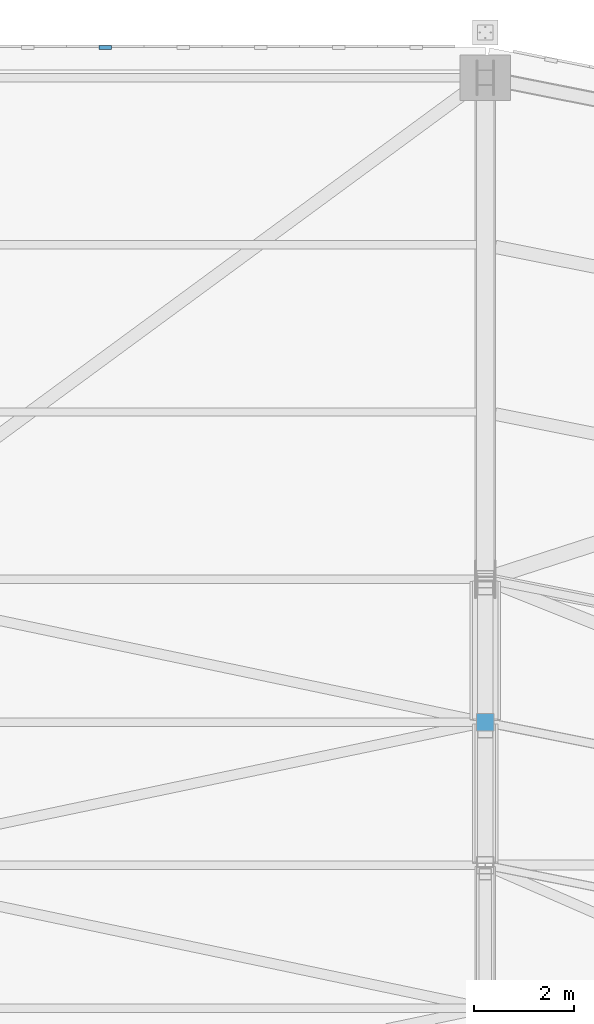
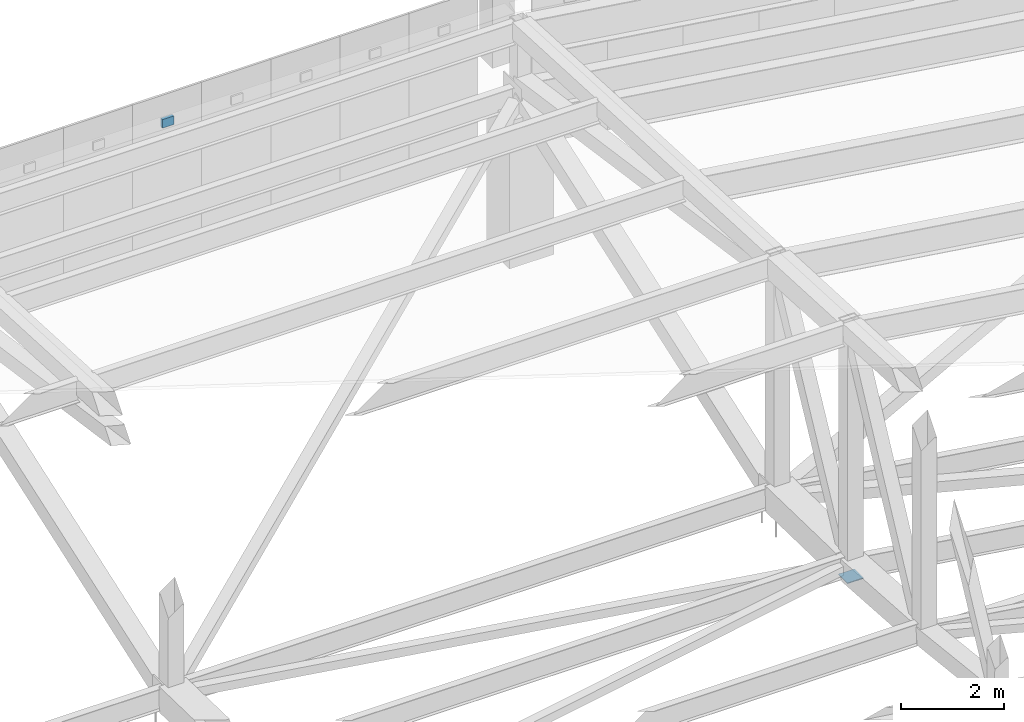
# One storey, part 244 of 278: 2 discrete accessories.
"""IFC4 building model written with IfcOpenShell, lengths in metres."""

from ifc_helpers import new_model, si_unit, direction, frame, origin, origin_2d, place, context, subcontext, project, spatial, rectangle, extrude, material, layer, layer_set, type_object, element, save


model = new_model("IFC4")

# Units and contexts
model_context = context("Model", 3, precision=1e-05, world=origin(), true_north=direction((0.0, 1.0)))
body_context = subcontext(model_context, "Body", "Model", "MODEL_VIEW")
ifc_project = project(units=[si_unit("LENGTHUNIT", "METRE"), si_unit("AREAUNIT", "SQUARE_METRE"), si_unit("VOLUMEUNIT", "CUBIC_METRE"), si_unit("PLANEANGLEUNIT", "RADIAN"), si_unit("MASSUNIT", "GRAM", prefix="KILO")], contexts=[model_context])

# Site, building, storey
site_placement = place(None, origin())
site = spatial("IfcSite", under=ifc_project, at=site_placement, CompositionType="ELEMENT")
building_placement = place(site_placement, origin())
building = spatial("IfcBuilding", under=site, at=building_placement, Name="Ogive Plaza Stadium", CompositionType="ELEMENT")
storey_placement = place(building_placement, frame((0.0, 0.0, 29.0)))
storey = spatial("IfcBuildingStorey", under=building, at=storey_placement, Name="Roof", CompositionType="ELEMENT", Elevation=29.0)

# Discrete accessories
ifc_material_1 = material(Name="Steel ASTM A992 Grade 50", Category="steel")
ifc_layer_1 = layer(ifc_material_1, 0.02001953125)
ifc_layer_set_1 = layer_set([ifc_layer_1], Name="Steel ASTM A992 Grade 50")
discrete_accessory_type_1 = type_object("IfcDiscreteAccessoryType", Name="Roof truss post cap plate 20", PredefinedType="ANCHORPLATE", material=ifc_layer_set_1)
discrete_accessory_1_placement = place(storey_placement, frame((34.0, 89.64990234375, 0.04541015625), z_axis=(0.0, 0.0, 1.0), x_axis=(0.0, 1.0, 0.0)))
element("IfcDiscreteAccessory", 1, at=discrete_accessory_1_placement, inside=storey, type_object=discrete_accessory_type_1, Name="ROOF TRUSS POST CAP PLATE 37 10", PredefinedType="ANCHORPLATE", context=body_context, shape_type="SweptSolid", body=[
    extrude(rectangle(XDim=0.355712890625, YDim=0.355712890625, at=origin_2d()), origin(), (0.0, 0.0, 1.0), 0.02001953125),
])
ifc_material_2 = material(Name="Steel ASTM A572 Grade 50", Category="steel")
ifc_layer_2 = layer(ifc_material_2, 0.080078125)
ifc_layer_set_2 = layer_set([ifc_layer_2], Name="Steel ASTM A572 Grade 50")
discrete_accessory_type_2 = type_object("IfcDiscreteAccessoryType", Name="Tracery screen bracket 250x200", PredefinedType="BRACKET", material=ifc_layer_set_2)
discrete_accessory_2_placement = place(storey_placement, frame((26.425048828125, 103.102294921875, 5.25), z_axis=(0.0, 0.0, 1.0), x_axis=(1.0, 0.0, 0.0)))
element("IfcDiscreteAccessory", 2, at=discrete_accessory_2_placement, inside=storey, type_object=discrete_accessory_type_2, Name="TRACERY SCREEN BRACKET B36 4", PredefinedType="BRACKET", context=body_context, shape_type="SweptSolid", body=[
    extrude(rectangle(XDim=0.25, YDim=0.080078125, at=origin_2d()), origin(), (0.0, 0.0, 1.0), 0.199951171875),
])

save(model, "model.ifc")
